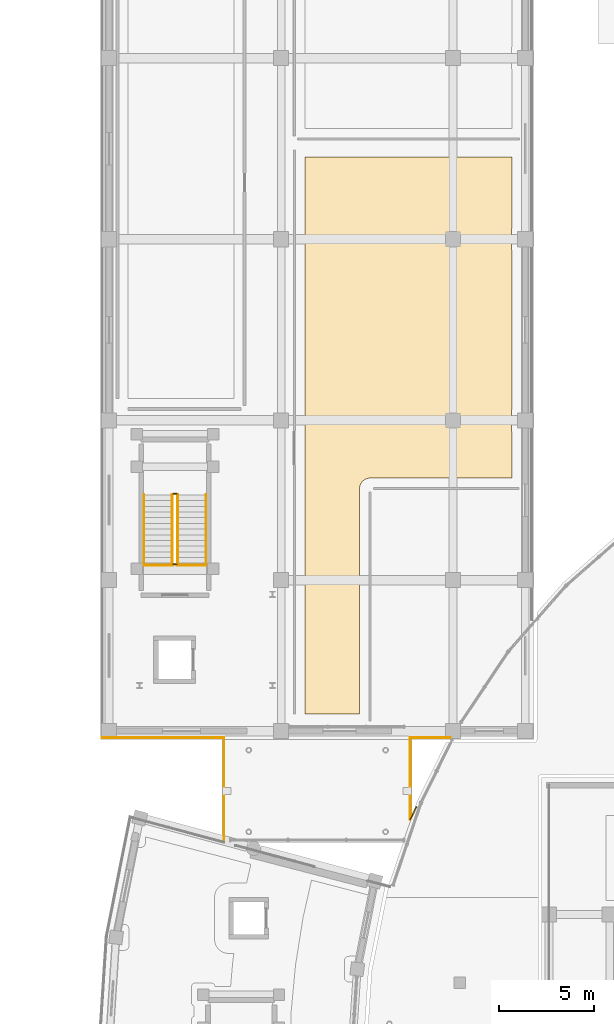
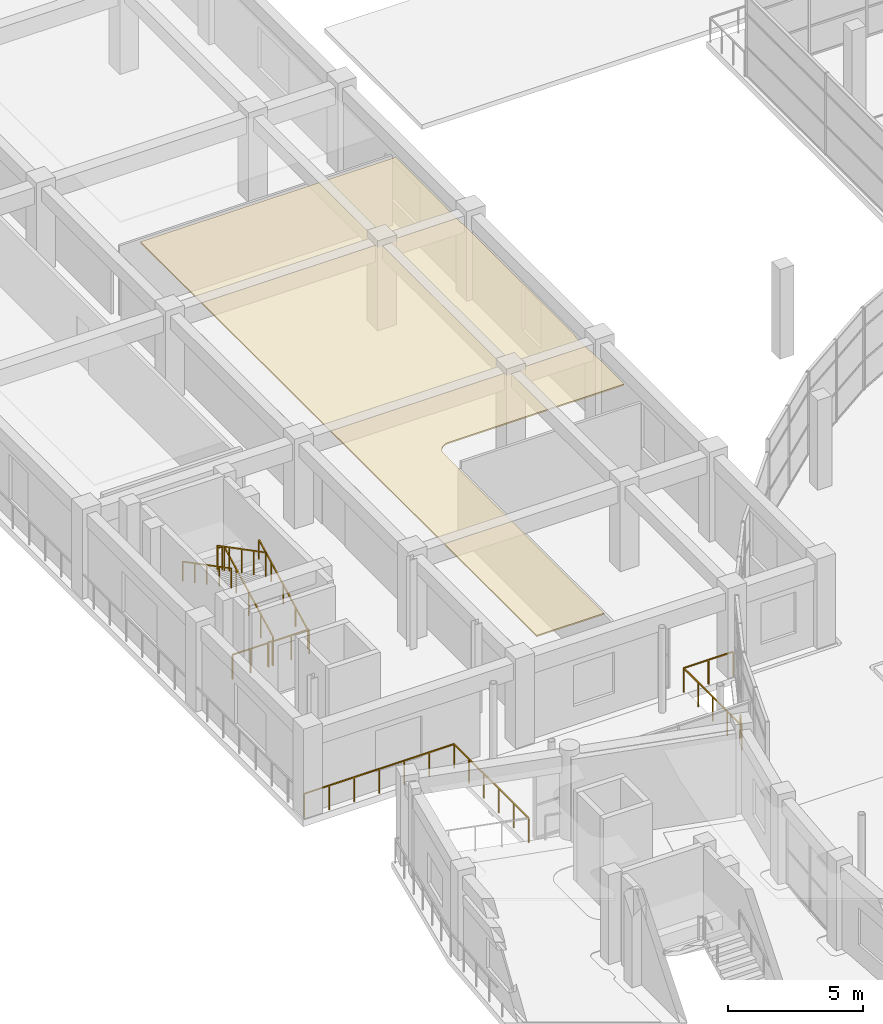
# One storey, part 79 of 87: 13 railings, 1 covering.
"""IFC4 building model written with IfcOpenShell, lengths in metres."""

import ifcopenshell
import ifcopenshell.guid

model = None  # the IFC model being written
_history = None  # IfcOwnerHistory: only IFC2X3 demands one
_inside = {}  # id of a spatial element -> (the spatial element, [elements in it])
_under = {}  # id of a project, library or spatial element -> (it, [spatial elements below it])
_declared = {}  # id of a project -> (the project, [libraries it declares])
_typed = {}  # id of a type object -> (the type object, [elements of that type])
_made_of = {}  # id of a material, layer set ... -> (it, [elements and type objects made of it])


def new_model(schema):
    """Start an empty IFC model of exactly this schema.

    Asked for "IFC4X3", IfcOpenShell would pick the latest addendum, in which some entities
    have other attributes; the version numbers below select the first issue.
    IFC2X3 requires an IfcOwnerHistory on every rooted entity: one is made here for all.
    """
    global model, _history
    if schema == "IFC4X3":
        model = ifcopenshell.file(schema_version=(4, 3, 0, 0))
    else:
        model = ifcopenshell.file(schema=schema)
    _inside.clear()
    _under.clear()
    _declared.clear()
    _typed.clear()
    _made_of.clear()
    _history = None
    if model.schema == "IFC2X3":
        org = make("IfcOrganization", Name="unknown")
        user = make(
            "IfcPersonAndOrganization",
            ThePerson=make("IfcPerson", FamilyName="unknown"),
            TheOrganization=org,
        )
        app = make(
            "IfcApplication",
            ApplicationDeveloper=org,
            Version="unknown",
            ApplicationFullName="unknown",
            ApplicationIdentifier="unknown",
        )
        _history = make(
            "IfcOwnerHistory",
            OwningUser=user,
            OwningApplication=app,
            ChangeAction="ADDED",
            CreationDate=0,
        )
    return model


def make(cls, **values):
    """One entity of the class cls with the attributes given. An attribute that is None is left unset."""
    return model.create_entity(
        cls, **{name: value for name, value in values.items() if value is not None}
    )


def rooted(cls, **values):
    """An entity with a GlobalId (a new one), such as an element, a storey or a relation."""
    return make(cls, GlobalId=ifcopenshell.guid.new(), OwnerHistory=_history, **values)


def si_unit(unit_type, name, prefix=None):
    """IfcSIUnit, for example si_unit("LENGTHUNIT", "METRE", prefix="MILLI")."""
    return make("IfcSIUnit", UnitType=unit_type, Prefix=prefix, Name=name)


def assignment(units):
    """IfcUnitAssignment: the units of a project."""
    return None if units is None else make("IfcUnitAssignment", Units=units)


def point(xyz):
    """IfcCartesianPoint."""
    return None if xyz is None else make("IfcCartesianPoint", Coordinates=xyz)


def direction(xyz):
    """IfcDirection."""
    return None if xyz is None else make("IfcDirection", DirectionRatios=xyz)


def frame(location, z_axis=None, x_axis=None):
    """IfcAxis2Placement3D, a coordinate frame: its origin and axes. An axis left out is left unset."""
    return make(
        "IfcAxis2Placement3D",
        Location=point(location),
        Axis=direction(z_axis),
        RefDirection=direction(x_axis),
    )


def frame_2d(location, x_axis=None):
    """IfcAxis2Placement2D, a coordinate frame in the plane: its origin and x axis."""
    return make(
        "IfcAxis2Placement2D", Location=point(location), RefDirection=direction(x_axis)
    )


def origin():
    """The frame at (0, 0, 0) with its axes left unset."""
    return frame((0.0, 0.0, 0.0))


def origin_2d():
    """The frame at (0, 0) in the plane with its x axis left unset."""
    return frame_2d((0.0, 0.0))


def place(relative_to, where):
    """IfcLocalPlacement: puts the frame where relative to a parent placement (None: the world)."""
    return make(
        "IfcLocalPlacement", PlacementRelTo=relative_to, RelativePlacement=where
    )


def context(
    kind, dimensions, precision=None, world=None, true_north=None, identifier=None
):
    """IfcGeometricRepresentationContext, for example the 3D "Model" context."""
    return make(
        "IfcGeometricRepresentationContext",
        ContextIdentifier=identifier,
        ContextType=kind,
        CoordinateSpaceDimension=dimensions,
        Precision=precision,
        WorldCoordinateSystem=world,
        TrueNorth=true_north,
    )


def subcontext(parent, identifier, kind, view, scale=None):
    """IfcGeometricRepresentationSubContext, for example "Body" below "Model"."""
    return make(
        "IfcGeometricRepresentationSubContext",
        ContextIdentifier=identifier,
        ContextType=kind,
        ParentContext=parent,
        TargetScale=scale,
        TargetView=view,
    )


def project(units=None, contexts=None):
    """IfcProject with its units and contexts."""
    return rooted(
        "IfcProject",
        Name="project",
        RepresentationContexts=contexts,
        UnitsInContext=assignment(units),
    )


def spatial(cls, under=None, at=None, **own):
    """A site, building, storey or space (cls), placed at a placement, below another one or the project."""
    s = rooted(cls, ObjectPlacement=at, **own)
    if under is not None:
        _under.setdefault(under.id(), (under, []))[1].append(s)
    return s


def polyline(points):
    """IfcPolyline through the points."""
    return make("IfcPolyline", Points=[point(p) for p in points])


def profile(cls, at=None, kind="AREA", **sizes):
    """A parametric profile (cls). Its sizes go by their IFC names, for example OverallWidth=200.0."""
    return make(cls, ProfileType=kind, Position=at, **sizes)


def rectangle(**sizes):
    """IfcRectangleProfileDef."""
    return profile("IfcRectangleProfileDef", **sizes)


def outline(outer, holes=None, kind="AREA"):
    """IfcArbitraryClosedProfileDef: a profile drawn as a closed curve; with holes, ...WithVoids."""
    if holes is None:
        return make("IfcArbitraryClosedProfileDef", ProfileType=kind, OuterCurve=outer)
    return make(
        "IfcArbitraryProfileDefWithVoids",
        ProfileType=kind,
        OuterCurve=outer,
        InnerCurves=holes,
    )


def extrude(swept, where, along, depth):
    """IfcExtrudedAreaSolid: the profile swept, set in the frame where, extruded along a direction by depth."""
    return make(
        "IfcExtrudedAreaSolid",
        SweptArea=swept,
        Position=where,
        ExtrudedDirection=direction(along),
        Depth=depth,
    )


def shape(context_of_items, identifier, shape_type, items):
    """IfcShapeRepresentation: the items that make up one representation, for example the "Body"."""
    return make(
        "IfcShapeRepresentation",
        ContextOfItems=context_of_items,
        RepresentationIdentifier=identifier,
        RepresentationType=shape_type,
        Items=items,
    )


def material(Name=None, Category=None):
    """IfcMaterial."""
    return make("IfcMaterial", Name=Name, Category=Category)


def layer(
    of_material, thickness, ventilated=None, Name=None, Category=None, Priority=None
):
    """IfcMaterialLayer: one layer of a wall or slab, of a material (None: an air gap)."""
    return make(
        "IfcMaterialLayer",
        Material=of_material,
        LayerThickness=thickness,
        IsVentilated=ventilated,
        Name=Name,
        Category=Category,
        Priority=Priority,
    )


def layer_set(layers, Name=None):
    """IfcMaterialLayerSet."""
    return make("IfcMaterialLayerSet", MaterialLayers=layers, LayerSetName=Name)


def made_of(thing, what):
    """Note that an element or type object is made of a material, layer set ...; save() writes the relation."""
    if what is not None:
        _made_of.setdefault(what.id(), (what, []))[1].append(thing)
    return thing


def type_object(cls, material=None, **own):
    """A type object (cls), such as IfcWallType, which elements share."""
    return made_of(rooted(cls, **own), material)


def element(
    cls,
    number,
    at=None,
    inside=None,
    cuts=None,
    type_object=None,
    material=None,
    context=None,
    identifier="Body",
    shape_type=None,
    held_by="IfcProductDefinitionShape",
    body=None,
    shapes=None,
    **own,
):
    """One element of the class cls, such as IfcWall. Its Tag is "e" and its number.

    at: its placement. inside: the storey or other place that contains it. cuts: it is an
    opening in that element (IfcRelVoidsElement). A single representation is given by context,
    identifier, shape_type and body (its items); several are given by shapes. held_by: the class
    of the entity that holds the representations. save() writes the other relations.
    """
    e = rooted(cls, Tag="e%d" % number, ObjectPlacement=at, **own)
    if body is not None:
        shapes = [shape(context, identifier, shape_type, body)]
    if shapes is not None:
        e.Representation = make(held_by, Representations=shapes)
    if inside is not None:
        _inside.setdefault(inside.id(), (inside, []))[1].append(e)
    if cuts is not None:
        rooted(
            "IfcRelVoidsElement", RelatingBuildingElement=cuts, RelatedOpeningElement=e
        )
    if type_object is not None:
        _typed.setdefault(type_object.id(), (type_object, []))[1].append(e)
    return made_of(e, material)


def aggregate(whole, parts):
    """IfcRelAggregates: a whole, such as a stair, and the parts it consists of."""
    return rooted("IfcRelAggregates", RelatingObject=whole, RelatedObjects=parts)


def save(model, path):
    """Write the relations noted so far, then the file.

    IfcRelAggregates (storeys below a building ...), IfcRelContainedInSpatialStructure (elements
    in a storey), IfcRelDefinesByType, IfcRelAssociatesMaterial and IfcRelDeclares: one each for
    every whole, place, type object, material and project.
    """
    for whole, parts in _under.values():
        aggregate(whole, parts)
    for where, things in _inside.values():
        rooted(
            "IfcRelContainedInSpatialStructure",
            RelatedElements=things,
            RelatingStructure=where,
        )
    for kind, things in _typed.values():
        rooted("IfcRelDefinesByType", RelatedObjects=things, RelatingType=kind)
    for what, things in _made_of.values():
        rooted("IfcRelAssociatesMaterial", RelatedObjects=things, RelatingMaterial=what)
    for by, libraries in _declared.values():
        rooted("IfcRelDeclares", RelatingContext=by, RelatedDefinitions=libraries)
    model.write(path)


model = new_model("IFC4")

# Units and contexts
model_context = context("Model", 3, precision=1e-05, world=origin(), true_north=direction((0.0, 1.0)))
body_context = subcontext(model_context, "Body", "Model", "MODEL_VIEW")
ifc_project = project(units=[si_unit("LENGTHUNIT", "METRE"), si_unit("AREAUNIT", "SQUARE_METRE"), si_unit("VOLUMEUNIT", "CUBIC_METRE"), si_unit("PLANEANGLEUNIT", "RADIAN"), si_unit("MASSUNIT", "GRAM", prefix="KILO")], contexts=[model_context])

# Site, building, storey
site_placement = place(None, origin())
site = spatial("IfcSite", under=ifc_project, at=site_placement, CompositionType="ELEMENT")
building_placement = place(site_placement, origin())
building = spatial("IfcBuilding", under=site, at=building_placement, Name="Saryqyr Civic Hall", CompositionType="ELEMENT")
storey_placement = place(building_placement, frame((0.0, 0.0, 5.10009765625)))
storey = spatial("IfcBuildingStorey", under=building, at=storey_placement, Name="L01", CompositionType="ELEMENT", Elevation=5.10009765625)

# Covering
ifc_material_1 = material(Name="Mineral-fibre acoustic ceiling tile", Category="acoustic_tile")
ifc_layer_1 = layer(ifc_material_1, 0.06005859375, Name="Mineral-fibre acoustic ceiling tile")
ifc_layer_set_1 = layer_set([ifc_layer_1], Name="Mineral-fibre acoustic ceiling tile")
covering_type = type_object("IfcCoveringType", Name="INT-COV-CEIL-60", PredefinedType="CEILING", material=ifc_layer_set_1)
covering_placement = place(storey_placement, frame((0.0, 0.0, 3.68994140625)))
element("IfcCovering", 1, at=covering_placement, inside=storey, type_object=covering_type, Name="Acoustic ceiling Municipal Archive Reference Stacks", PredefinedType="CEILING", context=body_context, shape_type="SweptSolid", body=[
    extrude(outline(polyline([(29.24951171875, 127.727783203125), (29.239013671875, 127.705810546875), (29.230712890625, 127.6826171875), (29.224853515625, 127.65869140625), (29.22119140625, 127.634521484375), (29.219970703125, 127.610107421875), (29.219970703125, 126.64990234375), (29.22119140625, 126.62548828125), (29.224853515625, 126.601318359375), (29.230712890625, 126.577392578125), (29.239013671875, 126.55419921875), (29.24951171875, 126.5322265625), (29.25, 126.53125), (29.25, 118.19873046875), (29.24951171875, 118.19775390625), (29.239013671875, 118.17578125), (29.230712890625, 118.152587890625), (29.224853515625, 118.12890625), (29.22119140625, 118.1044921875), (29.219970703125, 118.080078125), (29.219970703125, 117.1201171875), (29.22119140625, 117.095458984375), (29.224853515625, 117.0712890625), (29.230712890625, 117.04736328125), (29.239013671875, 117.0244140625), (29.24951171875, 117.002197265625), (29.25, 117.001220703125), (29.25, 114.5693359375), (21.78271484375, 114.56103515625), (21.72900390625, 114.558349609375), (21.675537109375, 114.55029296875), (21.623291015625, 114.537353515625), (21.572509765625, 114.51904296875), (21.523681640625, 114.49609375), (21.4775390625, 114.46826171875), (21.43408203125, 114.43603515625), (21.394287109375, 114.39990234375), (21.358154296875, 114.35986328125), (21.325927734375, 114.316650390625), (21.29833984375, 114.270263671875), (21.275146484375, 114.221435546875), (21.257080078125, 114.1708984375), (21.243896484375, 114.118408203125), (21.236083984375, 114.065185546875), (21.2333984375, 114.01123046875), (21.22998046875, 102.14990234375), (18.35009765625, 102.14990234375), (18.35009765625, 131.449951171875), (29.25, 131.449951171875), (29.25, 127.728759765625), (29.24951171875, 127.727783203125)])), origin(), (0.0, 0.0, 1.0), 0.06005859375),
])

# Railings
ifc_material_2 = material(Name="Warm brushed brass and laminated glass", Category="glass")
ifc_layer_2 = layer(ifc_material_2, 0.06005859375, Name="Warm brushed brass and laminated glass")
ifc_layer_set_2 = layer_set([ifc_layer_2], Name="Warm brushed brass and laminated glass")
railing_type_1 = type_object("IfcRailingType", Name="INT-RLG-BAL-1100", PredefinedType="BALUSTRADE", material=ifc_layer_set_2)
railing_1_placement = place(storey_placement, frame((11.669921875, 110.080078125, 0.15576171875)))
element("IfcRailing", 2, at=railing_1_placement, inside=storey, type_object=railing_type_1, Name="L01 ST-3 stair guard 1", PredefinedType="BALUSTRADE", context=body_context, shape_type="SweptSolid", body=[
    extrude(rectangle(XDim=0.048095703125, YDim=0.048095703125, at=origin_2d()), frame((0.0, 0.0, 1.076171875), z_axis=(0.0, 0.887497496945, 0.460812535545), x_axis=(-1.0, 0.0, 0.0)), (0.0, 0.0, 1.0), 4.05615234375),
    extrude(rectangle(XDim=0.0419921875, YDim=0.0419921875, at=origin_2d()), origin(), (0.0, 0.0, 1.0), 1.052001953125),
    extrude(rectangle(XDim=0.0419921875, YDim=0.0419921875, at=origin_2d()), frame((0.0, 0.89990234375, 0.46728515625)), (0.0, 0.0, 1.0), 1.052001953125),
    extrude(rectangle(XDim=0.0419921875, YDim=0.0419921875, at=origin_2d()), frame((0.0, 1.7998046875, 0.9345703125)), (0.0, 0.0, 1.0), 1.052001953125),
    extrude(rectangle(XDim=0.0419921875, YDim=0.0419921875, at=origin_2d()), frame((0.0, 2.699951171875, 1.40185546875)), (0.0, 0.0, 1.0), 1.052001953125),
    extrude(rectangle(XDim=0.0419921875, YDim=0.0419921875, at=origin_2d()), frame((0.0, 3.599853515625, 1.869140625)), (0.0, 0.0, 1.0), 1.052001953125),
])
railing_2_placement = place(storey_placement, frame((11.6201171875, 113.72998046875, 2.02490234375)))
element("IfcRailing", 3, at=railing_2_placement, inside=storey, type_object=railing_type_1, Name="L01 ST-3 stair guard 2", PredefinedType="BALUSTRADE", context=body_context, shape_type="SweptSolid", body=[
    extrude(rectangle(XDim=0.048095703125, YDim=0.048095703125, at=origin_2d()), frame((0.0, 0.0, 1.076171875), z_axis=(-1.0, 0.0, 0.0), x_axis=(0.0, -1.0, 0.0)), (0.0, 0.0, 1.0), 0.2001953125),
    extrude(rectangle(XDim=0.0419921875, YDim=0.0419921875, at=origin_2d()), origin(), (0.0, 0.0, 1.0), 1.052001953125),
    extrude(rectangle(XDim=0.0419921875, YDim=0.0419921875, at=origin_2d()), frame((-0.2001953125, 0.0, 0.0)), (0.0, 0.0, 1.0), 1.052001953125),
])
railing_3_placement = place(storey_placement, frame((11.3701171875, 113.679931640625, 2.1806640625)))
element("IfcRailing", 4, at=railing_3_placement, inside=storey, type_object=railing_type_1, Name="L01 ST-3 stair guard 3", PredefinedType="BALUSTRADE", context=body_context, shape_type="SweptSolid", body=[
    extrude(rectangle(XDim=0.048095703125, YDim=0.048095703125, at=origin_2d()), frame((0.0, 0.0, 1.076171875), z_axis=(0.0, -0.887497496945, 0.460812535545), x_axis=(1.0, 0.0, 0.0)), (0.0, 0.0, 1.0), 4.05615234375),
    extrude(rectangle(XDim=0.0419921875, YDim=0.0419921875, at=origin_2d()), origin(), (0.0, 0.0, 1.0), 1.052001953125),
    extrude(rectangle(XDim=0.0419921875, YDim=0.0419921875, at=origin_2d()), frame((0.0, -0.89990234375, 0.46728515625)), (0.0, 0.0, 1.0), 1.052001953125),
    extrude(rectangle(XDim=0.0419921875, YDim=0.0419921875, at=origin_2d()), frame((0.0, -1.7998046875, 0.9345703125)), (0.0, 0.0, 1.0), 1.052001953125),
    extrude(rectangle(XDim=0.0419921875, YDim=0.0419921875, at=origin_2d()), frame((0.0, -2.699951171875, 1.40185546875)), (0.0, 0.0, 1.0), 1.052001953125),
    extrude(rectangle(XDim=0.0419921875, YDim=0.0419921875, at=origin_2d()), frame((0.0, -3.599853515625, 1.869140625)), (0.0, 0.0, 1.0), 1.052001953125),
])
railing_4_placement = place(storey_placement, frame((11.6201171875, 110.030029296875, 0.0)))
element("IfcRailing", 5, at=railing_4_placement, inside=storey, type_object=railing_type_1, Name="L01 ST-3 stair guard 4", PredefinedType="BALUSTRADE", context=body_context, shape_type="SweptSolid", body=[
    extrude(rectangle(XDim=0.048095703125, YDim=0.048095703125, at=origin_2d()), frame((0.0, 0.0, 1.076171875), z_axis=(-1.0, 0.0, 0.0), x_axis=(0.0, -1.0, 0.0)), (0.0, 0.0, 1.0), 0.2001953125),
    extrude(rectangle(XDim=0.0419921875, YDim=0.0419921875, at=origin_2d()), origin(), (0.0, 0.0, 1.0), 1.052001953125),
    extrude(rectangle(XDim=0.0419921875, YDim=0.0419921875, at=origin_2d()), frame((-0.2001953125, 0.0, 0.0)), (0.0, 0.0, 1.0), 1.052001953125),
])
railing_5_placement = place(storey_placement, frame((14.10009765625, 95.3916015625, 0.0)))
element("IfcRailing", 6, at=railing_5_placement, inside=storey, type_object=railing_type_1, Name="Interior deck safety balustrade L01-019", PredefinedType="BALUSTRADE", context=body_context, shape_type="SweptSolid", body=[
    extrude(rectangle(XDim=0.048095703125, YDim=0.048095703125, at=origin_2d()), frame((0.0, 0.0, 1.09619140625), z_axis=(0.0, 1.0, 0.0), x_axis=(-1.0, 0.0, 0.0)), (0.0, 0.0, 1.0), 5.50830078125),
    extrude(rectangle(XDim=0.0419921875, YDim=0.0419921875, at=origin_2d()), origin(), (0.0, 0.0, 1.0), 1.072021484375),
    extrude(rectangle(XDim=0.0419921875, YDim=0.0419921875, at=origin_2d()), frame((0.0, 1.1015625, 0.0)), (0.0, 0.0, 1.0), 1.072021484375),
    extrude(rectangle(XDim=0.0419921875, YDim=0.0419921875, at=origin_2d()), frame((0.0, 2.203369140625, 0.0)), (0.0, 0.0, 1.0), 1.072021484375),
    extrude(rectangle(XDim=0.0419921875, YDim=0.0419921875, at=origin_2d()), frame((0.0, 3.304931640625, 0.0)), (0.0, 0.0, 1.0), 1.072021484375),
    extrude(rectangle(XDim=0.0419921875, YDim=0.0419921875, at=origin_2d()), frame((0.0, 4.40673828125, 0.0)), (0.0, 0.0, 1.0), 1.072021484375),
    extrude(rectangle(XDim=0.0419921875, YDim=0.0419921875, at=origin_2d()), frame((0.0, 5.50830078125, 0.0)), (0.0, 0.0, 1.0), 1.072021484375),
])
railing_6_placement = place(storey_placement, frame((14.10009765625, 100.89990234375, 0.0)))
element("IfcRailing", 7, at=railing_6_placement, inside=storey, type_object=railing_type_1, Name="Interior deck safety balustrade L01-020", PredefinedType="BALUSTRADE", context=body_context, shape_type="SweptSolid", body=[
    extrude(rectangle(XDim=0.048095703125, YDim=0.048095703125, at=origin_2d()), frame((0.0, 0.0, 1.09619140625), z_axis=(-1.0, 0.0, 0.0), x_axis=(0.0, -1.0, 0.0)), (0.0, 0.0, 1.0), 6.400146484375),
    extrude(rectangle(XDim=0.0419921875, YDim=0.0419921875, at=origin_2d()), origin(), (0.0, 0.0, 1.0), 1.072021484375),
    extrude(rectangle(XDim=0.0419921875, YDim=0.0419921875, at=origin_2d()), frame((-1.066650390625, 0.0, 0.0)), (0.0, 0.0, 1.0), 1.072021484375),
    extrude(rectangle(XDim=0.0419921875, YDim=0.0419921875, at=origin_2d()), frame((-2.13330078125, 0.0, 0.0)), (0.0, 0.0, 1.0), 1.072021484375),
    extrude(rectangle(XDim=0.0419921875, YDim=0.0419921875, at=origin_2d()), frame((-3.2001953125, 0.0, 0.0)), (0.0, 0.0, 1.0), 1.072021484375),
    extrude(rectangle(XDim=0.0419921875, YDim=0.0419921875, at=origin_2d()), frame((-4.266845703125, 0.0, 0.0)), (0.0, 0.0, 1.0), 1.072021484375),
    extrude(rectangle(XDim=0.0419921875, YDim=0.0419921875, at=origin_2d()), frame((-5.33349609375, 0.0, 0.0)), (0.0, 0.0, 1.0), 1.072021484375),
    extrude(rectangle(XDim=0.0419921875, YDim=0.0419921875, at=origin_2d()), frame((-6.400146484375, 0.0, 0.0)), (0.0, 0.0, 1.0), 1.072021484375),
])
railing_7_placement = place(storey_placement, frame((26.01513671875, 100.89990234375, 0.0)))
element("IfcRailing", 8, at=railing_7_placement, inside=storey, type_object=railing_type_1, Name="Interior deck safety balustrade L01-082", PredefinedType="BALUSTRADE", context=body_context, shape_type="SweptSolid", body=[
    extrude(rectangle(XDim=0.048095703125, YDim=0.048095703125, at=origin_2d()), frame((0.0, 0.0, 1.09619140625), z_axis=(-1.0, 0.0, 0.0), x_axis=(0.0, -1.0, 0.0)), (0.0, 0.0, 1.0), 2.115234375),
    extrude(rectangle(XDim=0.0419921875, YDim=0.0419921875, at=origin_2d()), origin(), (0.0, 0.0, 1.0), 1.072021484375),
    extrude(rectangle(XDim=0.0419921875, YDim=0.0419921875, at=origin_2d()), frame((-1.0576171875, 0.0, 0.0)), (0.0, 0.0, 1.0), 1.072021484375),
    extrude(rectangle(XDim=0.0419921875, YDim=0.0419921875, at=origin_2d()), frame((-2.115234375, 0.0, 0.0)), (0.0, 0.0, 1.0), 1.072021484375),
])
railing_8_placement = place(storey_placement, frame((23.89990234375, 100.89990234375, 0.0)))
element("IfcRailing", 9, at=railing_8_placement, inside=storey, type_object=railing_type_1, Name="Interior deck safety balustrade L01-083", PredefinedType="BALUSTRADE", context=body_context, shape_type="SweptSolid", body=[
    extrude(rectangle(XDim=0.048095703125, YDim=0.048095703125, at=origin_2d()), frame((0.0, 0.0, 1.09619140625), z_axis=(0.0, -1.0, 0.0), x_axis=(1.0, 0.0, 0.0)), (0.0, 0.0, 1.0), 4.2890625),
    extrude(rectangle(XDim=0.0419921875, YDim=0.0419921875, at=origin_2d()), origin(), (0.0, 0.0, 1.0), 1.072021484375),
    extrude(rectangle(XDim=0.0419921875, YDim=0.0419921875, at=origin_2d()), frame((0.0, -1.072265625, 0.0)), (0.0, 0.0, 1.0), 1.072021484375),
    extrude(rectangle(XDim=0.0419921875, YDim=0.0419921875, at=origin_2d()), frame((0.0, -2.14453125, 0.0)), (0.0, 0.0, 1.0), 1.072021484375),
    extrude(rectangle(XDim=0.0419921875, YDim=0.0419921875, at=origin_2d()), frame((0.0, -3.216796875, 0.0)), (0.0, 0.0, 1.0), 1.072021484375),
    extrude(rectangle(XDim=0.0419921875, YDim=0.0419921875, at=origin_2d()), frame((0.0, -4.2890625, 0.0)), (0.0, 0.0, 1.0), 1.072021484375),
])
railing_9_placement = place(storey_placement, frame((23.89990234375, 96.61083984375, 0.0)))
element("IfcRailing", 10, at=railing_9_placement, inside=storey, type_object=railing_type_1, Name="Interior deck safety balustrade L01-084", PredefinedType="BALUSTRADE", context=body_context, shape_type="SweptSolid", body=[
    extrude(rectangle(XDim=0.048095703125, YDim=0.048095703125, at=origin_2d()), frame((0.0, 0.0, 1.09619140625), z_axis=(0.442520323725, 0.896758475338, 0.0), x_axis=(-0.896758475338, 0.442520323725, 0.0)), (0.0, 0.0, 1.0), 0.70849609375),
    extrude(rectangle(XDim=0.0419921875, YDim=0.0419921875, at=origin_2d()), origin(), (0.0, 0.0, 1.0), 1.072021484375),
    extrude(rectangle(XDim=0.0419921875, YDim=0.0419921875, at=origin_2d()), frame((0.3134765625, 0.63525390625, 0.0)), (0.0, 0.0, 1.0), 1.072021484375),
])
for number, where, name in (
    (11, (9.885009765625, 109.97998046875, 0.0), "Interior deck safety balustrade L01-089"),
    (12, (11.6201171875, 109.97998046875, 0.0), "Interior deck safety balustrade L01-090"),
):
    element("IfcRailing", number, at=place(storey_placement, frame(where)), inside=storey, type_object=railing_type_1, Name=name, PredefinedType="BALUSTRADE", context=body_context, shape_type="SweptSolid", body=[
        extrude(rectangle(XDim=0.048095703125, YDim=0.048095703125, at=origin_2d()), frame((0.0, 0.0, 1.09619140625), z_axis=(1.0, 0.0, 0.0), x_axis=(0.0, 1.0, 0.0)), (0.0, 0.0, 1.0), 1.534912109375),
        extrude(rectangle(XDim=0.0419921875, YDim=0.0419921875, at=origin_2d()), origin(), (0.0, 0.0, 1.0), 1.072021484375),
        extrude(rectangle(XDim=0.0419921875, YDim=0.0419921875, at=origin_2d()), frame((0.767578125, 0.0, 0.0)), (0.0, 0.0, 1.0), 1.072021484375),
        extrude(rectangle(XDim=0.0419921875, YDim=0.0419921875, at=origin_2d()), frame((1.534912109375, 0.0, 0.0)), (0.0, 0.0, 1.0), 1.072021484375),
    ])
ifc_material_3 = material(Name="Stainless steel", Category="steel")
ifc_layer_3 = layer(ifc_material_3, 0.050048828125, Name="Stainless steel")
ifc_layer_set_3 = layer_set([ifc_layer_3], Name="Stainless steel")
railing_type_2 = type_object("IfcRailingType", Name="INT-RLG-HND-900", PredefinedType="HANDRAIL", material=ifc_layer_set_3)
railing_10_placement = place(storey_placement, frame((13.14990234375, 110.080078125, 0.15576171875)))
element("IfcRailing", 13, at=railing_10_placement, inside=storey, type_object=railing_type_2, Name="L01 ST-3 stair handrail 1", PredefinedType="HANDRAIL", context=body_context, shape_type="SweptSolid", body=[
    extrude(rectangle(XDim=0.048095703125, YDim=0.048095703125, at=origin_2d()), frame((0.0, 0.0, 0.8759765625), z_axis=(0.0, 0.887497496945, 0.460812535545), x_axis=(-1.0, 0.0, 0.0)), (0.0, 0.0, 1.0), 4.05615234375),
    extrude(rectangle(XDim=0.0419921875, YDim=0.0419921875, at=origin_2d()), origin(), (0.0, 0.0, 1.0), 0.851806640625),
    extrude(rectangle(XDim=0.0419921875, YDim=0.0419921875, at=origin_2d()), frame((0.0, 0.89990234375, 0.46728515625)), (0.0, 0.0, 1.0), 0.851806640625),
    extrude(rectangle(XDim=0.0419921875, YDim=0.0419921875, at=origin_2d()), frame((0.0, 1.7998046875, 0.9345703125)), (0.0, 0.0, 1.0), 0.851806640625),
    extrude(rectangle(XDim=0.0419921875, YDim=0.0419921875, at=origin_2d()), frame((0.0, 2.699951171875, 1.40185546875)), (0.0, 0.0, 1.0), 0.851806640625),
    extrude(rectangle(XDim=0.0419921875, YDim=0.0419921875, at=origin_2d()), frame((0.0, 3.599853515625, 1.869140625)), (0.0, 0.0, 1.0), 0.851806640625),
])
railing_11_placement = place(storey_placement, frame((9.889892578125, 113.679931640625, 2.1806640625)))
element("IfcRailing", 14, at=railing_11_placement, inside=storey, type_object=railing_type_2, Name="L01 ST-3 stair handrail 2", PredefinedType="HANDRAIL", context=body_context, shape_type="SweptSolid", body=[
    extrude(rectangle(XDim=0.048095703125, YDim=0.048095703125, at=origin_2d()), frame((0.0, 0.0, 0.8759765625), z_axis=(0.0, -0.887497496945, 0.460812535545), x_axis=(1.0, 0.0, 0.0)), (0.0, 0.0, 1.0), 4.05615234375),
    extrude(rectangle(XDim=0.0419921875, YDim=0.0419921875, at=origin_2d()), origin(), (0.0, 0.0, 1.0), 0.851806640625),
    extrude(rectangle(XDim=0.0419921875, YDim=0.0419921875, at=origin_2d()), frame((0.0, -0.89990234375, 0.46728515625)), (0.0, 0.0, 1.0), 0.851806640625),
    extrude(rectangle(XDim=0.0419921875, YDim=0.0419921875, at=origin_2d()), frame((0.0, -1.7998046875, 0.9345703125)), (0.0, 0.0, 1.0), 0.851806640625),
    extrude(rectangle(XDim=0.0419921875, YDim=0.0419921875, at=origin_2d()), frame((0.0, -2.699951171875, 1.40185546875)), (0.0, 0.0, 1.0), 0.851806640625),
    extrude(rectangle(XDim=0.0419921875, YDim=0.0419921875, at=origin_2d()), frame((0.0, -3.599853515625, 1.869140625)), (0.0, 0.0, 1.0), 0.851806640625),
])

save(model, "model.ifc")
